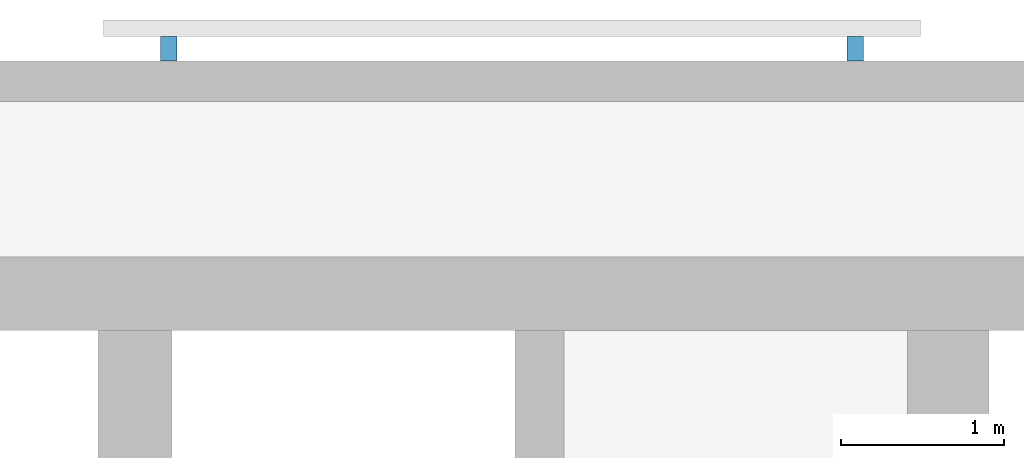
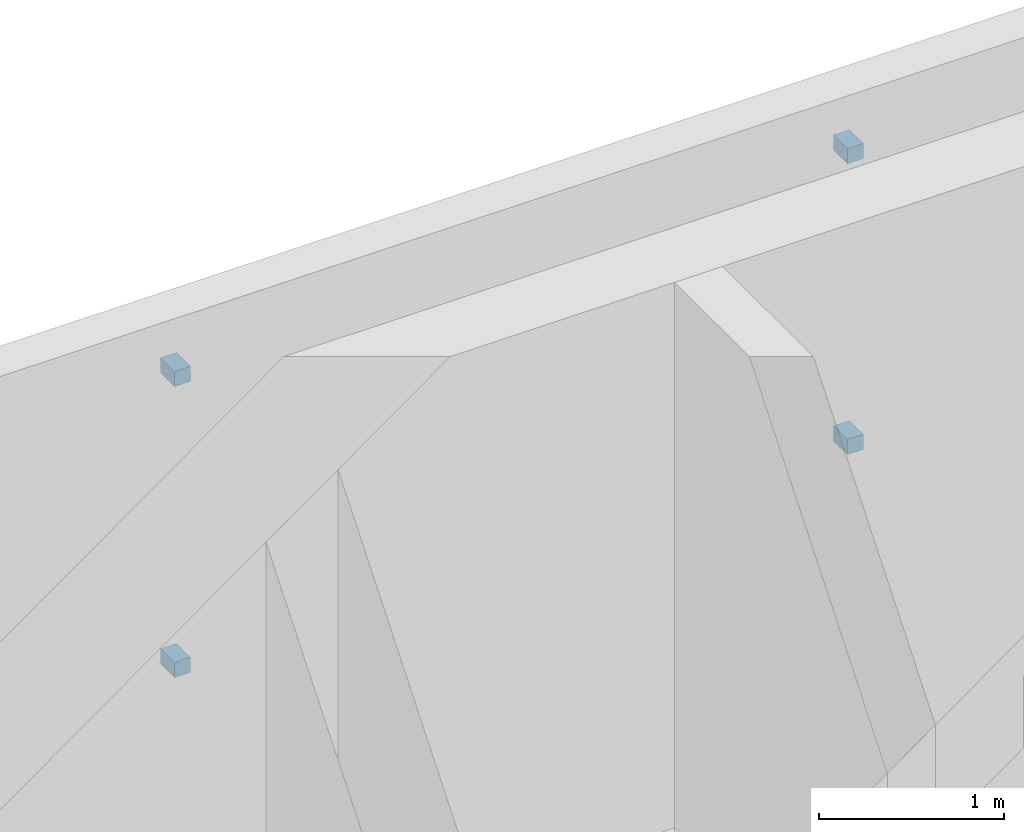
# One storey, part 12 of 15: 4 discrete accessories.
"""IFC4 building model written with IfcOpenShell, lengths in metres."""

from ifc_helpers import new_model, si_unit, direction, frame, origin, origin_2d, place, context, subcontext, project, spatial, rectangle, extrude, material, type_object, element, save


model = new_model("IFC4")

# Units and contexts
model_context = context("Model", 3, precision=1e-05, world=origin(), true_north=direction((0.0, 1.0)))
body_context = subcontext(model_context, "Body", "Model", "MODEL_VIEW")
ifc_project = project(units=[si_unit("LENGTHUNIT", "METRE"), si_unit("AREAUNIT", "SQUARE_METRE"), si_unit("VOLUMEUNIT", "CUBIC_METRE"), si_unit("PLANEANGLEUNIT", "RADIAN"), si_unit("MASSUNIT", "GRAM", prefix="KILO")], contexts=[model_context])

# Site, building, storey
site_placement = place(None, origin())
site = spatial("IfcSite", under=ifc_project, at=site_placement, CompositionType="ELEMENT")
building_placement = place(site_placement, origin())
building = spatial("IfcBuilding", under=site, at=building_placement, Name="Torana Hotel and Residences", CompositionType="ELEMENT")
storey_placement = place(building_placement, frame((0.0, 0.0, 31.199951171875)))
storey = spatial("IfcBuildingStorey", under=building, at=storey_placement, Name="L06", CompositionType="ELEMENT", Elevation=31.199951171875)

# Discrete accessories
ifc_material = material(Name="Steel S355", Category="steel")
discrete_accessory_type = type_object("IfcDiscreteAccessoryType", Name="SCREEN BRACKET 100", PredefinedType="BRACKET", material=ifc_material)
for number, where, z_axis, x_axis, name in (
    (1, (23.681396484375, 1.27490234375, 0.75), (0.0, 0.0, 1.0), (-1.0, 0.0, 0.0), "Screen bracket L06"),
    (2, (23.681396484375, 1.27490234375, 2.669921875), (0.0, 0.0, 1.0), (-1.0, 0.0, 0.0), "Screen bracket L06"),
    (3, (19.4814453125, 1.27490234375, 0.75), (0.0, 0.0, 1.0), (-1.0, 0.0, 0.0), "Screen bracket L06"),
    (4, (19.4814453125, 1.27490234375, 2.669921875), (0.0, 0.0, 1.0), (-1.0, 0.0, 0.0), "Screen bracket L06"),
):
    element("IfcDiscreteAccessory", number, at=place(storey_placement, frame(where, z_axis=z_axis, x_axis=x_axis)), inside=storey, type_object=discrete_accessory_type, Name=name, PredefinedType="BRACKET", context=body_context, shape_type="SweptSolid", body=[
        extrude(rectangle(XDim=0.10009765625, YDim=0.14990234375, at=origin_2d()), origin(), (0.0, 0.0, 1.0), 0.10009765625),
    ])

save(model, "model.ifc")
